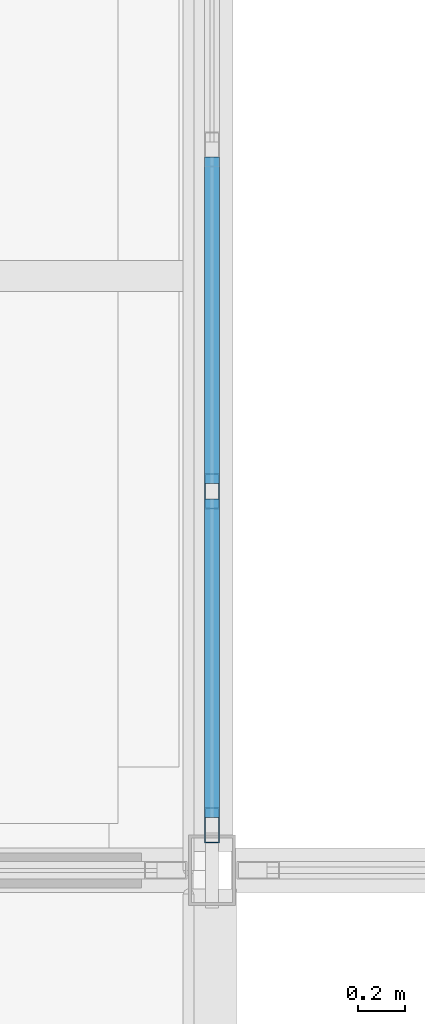
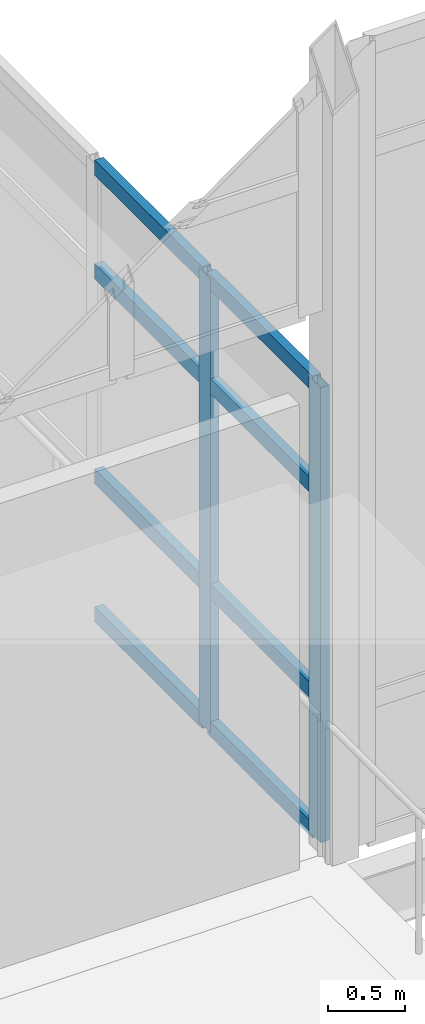
# One storey, part 56 of 166: 10 members, 1 element without a shape of its own.
"""IFC4 building model written with IfcOpenShell, lengths in metres."""

from ifc_helpers import new_model, si_unit, direction, frame, origin, origin_2d, place, context, subcontext, project, spatial, hollow_rectangle, extrude, material, material_profile, profile_set, type_object, element, aggregate, save


model = new_model("IFC4")

# Units and contexts
model_context = context("Model", 3, precision=1e-05, world=origin(), true_north=direction((0.0, 1.0)))
body_context = subcontext(model_context, "Body", "Model", "MODEL_VIEW")
ifc_project = project(units=[si_unit("LENGTHUNIT", "METRE"), si_unit("AREAUNIT", "SQUARE_METRE"), si_unit("VOLUMEUNIT", "CUBIC_METRE"), si_unit("PLANEANGLEUNIT", "RADIAN"), si_unit("MASSUNIT", "GRAM", prefix="KILO")], contexts=[model_context])

# Site, building, storey
site_placement = place(None, origin())
site = spatial("IfcSite", under=ifc_project, at=site_placement, CompositionType="ELEMENT")
building_placement = place(site_placement, origin())
building = spatial("IfcBuilding", under=site, at=building_placement, Name="Caisbarro Railhouse Central Library", CompositionType="ELEMENT")
storey_placement = place(building_placement, frame((0.0, 0.0, 9.360107421875)))
storey = spatial("IfcBuildingStorey", under=building, at=storey_placement, Name="L02", CompositionType="ELEMENT", Elevation=9.360107421875)

# Curtain wall, members
ifc_material = material(Name="Anodised architectural aluminium", Category="aluminium")
curtain_wall_type = type_object("IfcCurtainWallType", Name="CW-CW03", PredefinedType="NOTDEFINED", material=ifc_material)
curtain_wall_placement = place(storey_placement, origin())
curtain_wall = element("IfcCurtainWall", 1, at=curtain_wall_placement, inside=storey, type_object=curtain_wall_type, Name="CW03 curtain wall L02 #203", PredefinedType="NOTDEFINED")
ifc_material_profile_1 = material_profile(ifc_material, hollow_rectangle(XDim=0.06494140625, YDim=0.14990234375, WallThickness=0.00390625, at=origin_2d()), Name="ALU-MUL-65X150")
ifc_profile_set_1 = profile_set([ifc_material_profile_1], Name="Anodised architectural aluminium")
member_type_1 = type_object("IfcMemberType", Name="CWM-M02", PredefinedType="MULLION", material=ifc_profile_set_1)
member_1_placement = place(storey_placement, frame((63.0, 60.992431640625, 0.0), z_axis=(0.0, 0.0, 1.0), x_axis=(-1.0, 0.0, 0.0)))
member_1 = element("IfcMember", 2, at=member_1_placement, type_object=member_type_1, Name="CW03 mullion 1", PredefinedType="MULLION", context=body_context, shape_type="SweptSolid", body=[
    extrude(hollow_rectangle(XDim=0.06494140625, YDim=0.14990234375, WallThickness=0.00390625, at=origin_2d()), origin(), (0.0, 0.0, 1.0), 3.58984375),
])
member_2_placement = place(storey_placement, frame((63.0, 62.416015625, 0.0), z_axis=(0.0, 0.0, 1.0), x_axis=(-1.0, 0.0, 0.0)))
member_2 = element("IfcMember", 3, at=member_2_placement, type_object=member_type_1, Name="CW03 mullion 2", PredefinedType="MULLION", context=body_context, shape_type="SweptSolid", body=[
    extrude(hollow_rectangle(XDim=0.06494140625, YDim=0.14990234375, WallThickness=0.00390625, at=origin_2d()), origin(), (0.0, 0.0, 1.0), 3.58984375),
])
ifc_material_profile_2 = material_profile(ifc_material, hollow_rectangle(XDim=0.06494140625, YDim=0.1201171875, WallThickness=0.00341796875, at=origin_2d()), Name="ALU-TRN-65X120")
ifc_profile_set_2 = profile_set([ifc_material_profile_2], Name="Anodised architectural aluminium")
member_type_2 = type_object("IfcMemberType", Name="CWT-T02", PredefinedType="USERDEFINED", material=ifc_profile_set_2)
member_3_placement = place(storey_placement, frame((63.0, 61.02490234375, 0.032470703125), z_axis=(0.0, 1.0, 0.0), x_axis=(-1.0, 0.0, 0.0)))
member_3 = element("IfcMember", 4, at=member_3_placement, type_object=member_type_2, Name="CW03 transom 1.1", ObjectType="TRANSOM", PredefinedType="USERDEFINED", context=body_context, shape_type="SweptSolid", body=[
    extrude(hollow_rectangle(XDim=0.06494140625, YDim=0.1201171875, WallThickness=0.00341796875, at=origin_2d()), origin(), (0.0, 0.0, 1.0), 1.358642578125),
])
member_4_placement = place(storey_placement, frame((63.0, 61.02490234375, 1.119873046875), z_axis=(0.0, 1.0, 0.0), x_axis=(-1.0, 0.0, 0.0)))
member_4 = element("IfcMember", 5, at=member_4_placement, type_object=member_type_2, Name="CW03 transom 1.2", ObjectType="TRANSOM", PredefinedType="USERDEFINED", context=body_context, shape_type="SweptSolid", body=[
    extrude(hollow_rectangle(XDim=0.06494140625, YDim=0.1201171875, WallThickness=0.00341796875, at=origin_2d()), origin(), (0.0, 0.0, 1.0), 1.358642578125),
])
member_5_placement = place(storey_placement, frame((63.0, 61.02490234375, 2.739990234375), z_axis=(0.0, 1.0, 0.0), x_axis=(-1.0, 0.0, 0.0)))
member_5 = element("IfcMember", 6, at=member_5_placement, type_object=member_type_2, Name="CW03 transom 1.3", ObjectType="TRANSOM", PredefinedType="USERDEFINED", context=body_context, shape_type="SweptSolid", body=[
    extrude(hollow_rectangle(XDim=0.06494140625, YDim=0.1201171875, WallThickness=0.00341796875, at=origin_2d()), origin(), (0.0, 0.0, 1.0), 1.358642578125),
])
member_6_placement = place(storey_placement, frame((63.0, 61.02490234375, 3.557373046875), z_axis=(0.0, 1.0, 0.0), x_axis=(-1.0, 0.0, 0.0)))
member_6 = element("IfcMember", 7, at=member_6_placement, type_object=member_type_2, Name="CW03 transom 1.4", ObjectType="TRANSOM", PredefinedType="USERDEFINED", context=body_context, shape_type="SweptSolid", body=[
    extrude(hollow_rectangle(XDim=0.06494140625, YDim=0.1201171875, WallThickness=0.00341796875, at=origin_2d()), origin(), (0.0, 0.0, 1.0), 1.358642578125),
])
member_7_placement = place(storey_placement, frame((63.0, 62.448486328125, 0.032470703125), z_axis=(0.0, 1.0, 0.0), x_axis=(-1.0, 0.0, 0.0)))
member_7 = element("IfcMember", 8, at=member_7_placement, type_object=member_type_2, Name="CW03 transom 2.1", ObjectType="TRANSOM", PredefinedType="USERDEFINED", context=body_context, shape_type="SweptSolid", body=[
    extrude(hollow_rectangle(XDim=0.06494140625, YDim=0.1201171875, WallThickness=0.00341796875, at=origin_2d()), origin(), (0.0, 0.0, 1.0), 1.39111328125),
])
member_8_placement = place(storey_placement, frame((63.0, 62.448486328125, 1.119873046875), z_axis=(0.0, 1.0, 0.0), x_axis=(-1.0, 0.0, 0.0)))
member_8 = element("IfcMember", 9, at=member_8_placement, type_object=member_type_2, Name="CW03 transom 2.2", ObjectType="TRANSOM", PredefinedType="USERDEFINED", context=body_context, shape_type="SweptSolid", body=[
    extrude(hollow_rectangle(XDim=0.06494140625, YDim=0.1201171875, WallThickness=0.00341796875, at=origin_2d()), origin(), (0.0, 0.0, 1.0), 1.39111328125),
])
member_9_placement = place(storey_placement, frame((63.0, 62.448486328125, 2.739990234375), z_axis=(0.0, 1.0, 0.0), x_axis=(-1.0, 0.0, 0.0)))
member_9 = element("IfcMember", 10, at=member_9_placement, type_object=member_type_2, Name="CW03 transom 2.3", ObjectType="TRANSOM", PredefinedType="USERDEFINED", context=body_context, shape_type="SweptSolid", body=[
    extrude(hollow_rectangle(XDim=0.06494140625, YDim=0.1201171875, WallThickness=0.00341796875, at=origin_2d()), origin(), (0.0, 0.0, 1.0), 1.39111328125),
])
member_10_placement = place(storey_placement, frame((63.0, 62.448486328125, 3.557373046875), z_axis=(0.0, 1.0, 0.0), x_axis=(-1.0, 0.0, 0.0)))
member_10 = element("IfcMember", 11, at=member_10_placement, type_object=member_type_2, Name="CW03 transom 2.4", ObjectType="TRANSOM", PredefinedType="USERDEFINED", context=body_context, shape_type="SweptSolid", body=[
    extrude(hollow_rectangle(XDim=0.06494140625, YDim=0.1201171875, WallThickness=0.00341796875, at=origin_2d()), origin(), (0.0, 0.0, 1.0), 1.39111328125),
])
aggregate(curtain_wall, [member_1, member_2, member_3, member_4, member_5, member_6, member_7, member_8, member_9, member_10])

save(model, "model.ifc")
